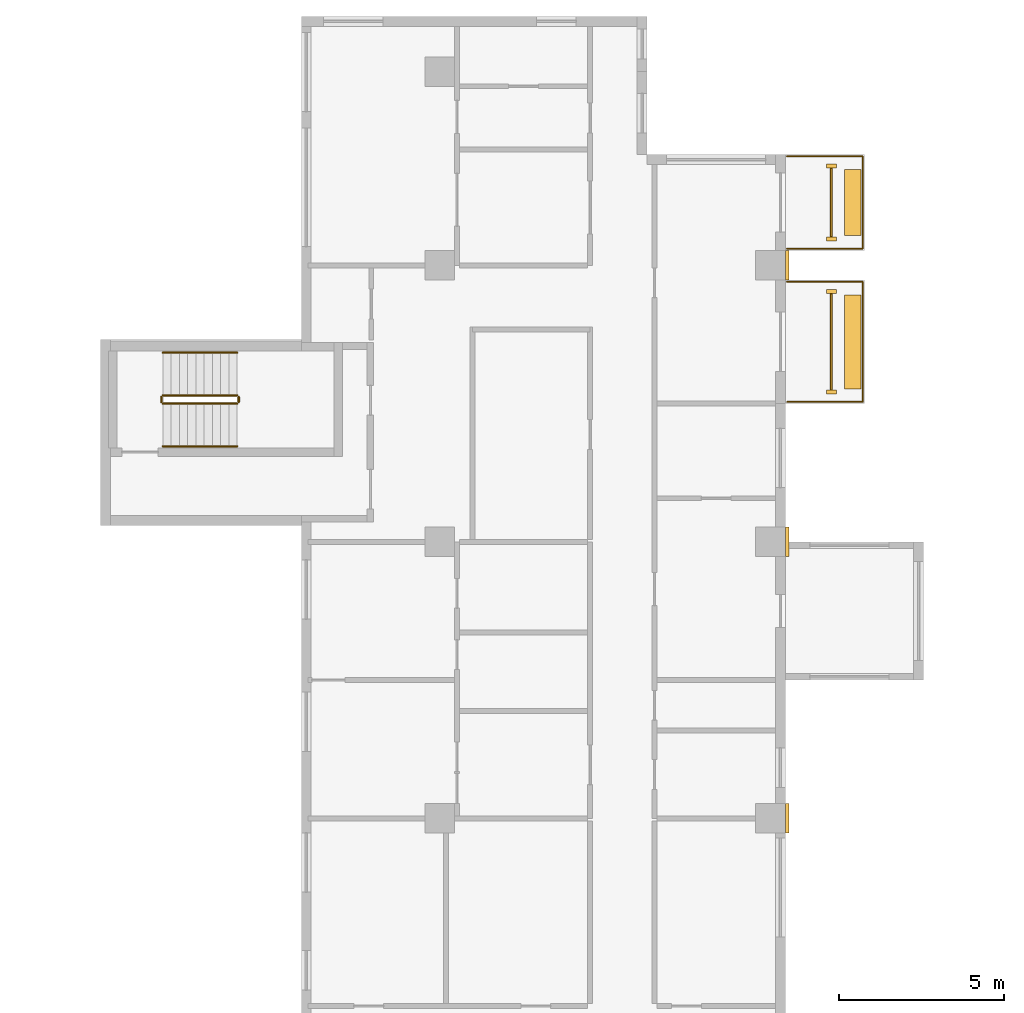
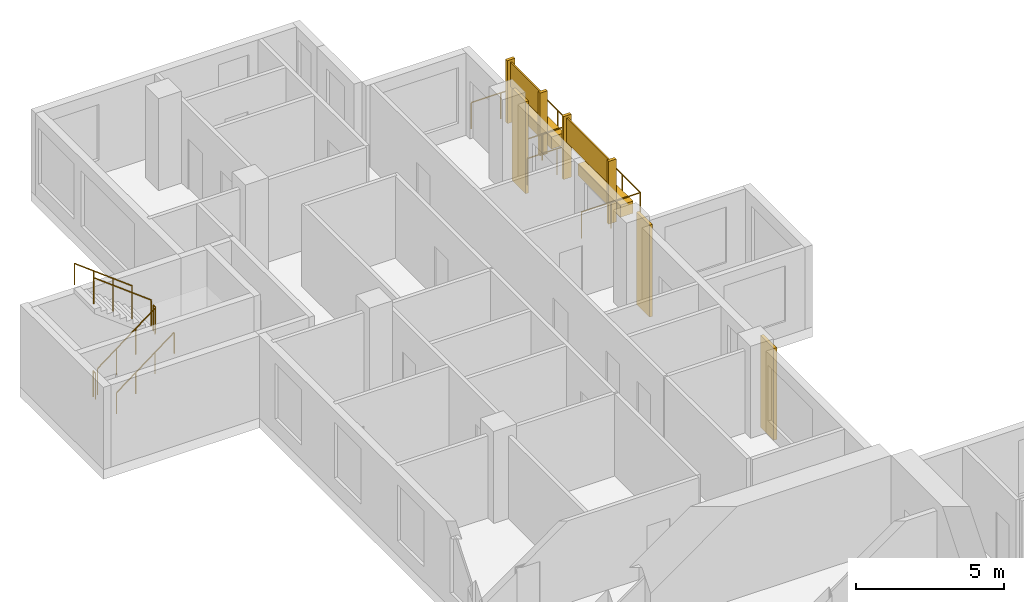
# One storey, part 14 of 15: 11 coverings, 8 railings.
"""IFC4 building model written with IfcOpenShell, lengths in metres."""

from ifc_helpers import new_model, si_unit, direction, frame, origin, origin_2d, place, context, subcontext, project, spatial, rectangle, circle, extrude, source, transform, mapped, material, type_object, element, save


model = new_model("IFC4")

# Units and contexts
model_context = context("Model", 3, precision=1e-05, world=origin(), true_north=direction((0.0, 1.0)))
body_context = subcontext(model_context, "Body", "Model", "MODEL_VIEW")
ifc_project = project(units=[si_unit("LENGTHUNIT", "METRE"), si_unit("AREAUNIT", "SQUARE_METRE"), si_unit("VOLUMEUNIT", "CUBIC_METRE"), si_unit("PLANEANGLEUNIT", "RADIAN"), si_unit("MASSUNIT", "GRAM", prefix="KILO")], contexts=[model_context])

# Site, building, storey
site_placement = place(None, origin())
site = spatial("IfcSite", under=ifc_project, at=site_placement, CompositionType="ELEMENT")
building_placement = place(site_placement, origin())
building = spatial("IfcBuilding", under=site, at=building_placement, Name="Aurelian Terraces", CompositionType="ELEMENT")
storey_placement = place(building_placement, frame((0.0, 0.0, 177.8)))
storey = spatial("IfcBuildingStorey", under=building, at=storey_placement, Name="L38", CompositionType="ELEMENT", Elevation=177.8)

# Railings
ifc_material_1 = material(Name="Anodised aluminium", Category="aluminium")
railing_type_1 = type_object("IfcRailingType", Name="GUARD-1100", PredefinedType="GUARDRAIL", material=ifc_material_1)
railing_1_placement = place(storey_placement, frame((21.05, 42.05, 0.0)))
element("IfcRailing", 1, at=railing_1_placement, inside=storey, type_object=railing_type_1, Name="Balcony guard L38 F08.21", PredefinedType="GUARDRAIL", context=body_context, shape_type="SweptSolid", body=[
    extrude(circle(Radius=0.024, at=origin_2d()), frame((0.0, 0.0, 1.076), z_axis=(1.0, 0.0, 0.0), x_axis=(0.0, 1.0, 0.0)), (0.0, 0.0, 1.0), 2.3),
    extrude(circle(Radius=0.024, at=origin_2d()), frame((2.3, 0.0, 1.076), z_axis=(0.0, 1.0, 0.0), x_axis=(-1.0, 0.0, 0.0)), (0.0, 0.0, 1.0), 3.65),
    extrude(circle(Radius=0.024, at=origin_2d()), frame((2.3, 3.65, 1.076), z_axis=(-1.0, 0.0, 0.0), x_axis=(0.0, -1.0, 0.0)), (0.0, 0.0, 1.0), 2.3),
    extrude(circle(Radius=0.021, at=origin_2d()), origin(), (0.0, 0.0, 1.0), 1.052),
    extrude(circle(Radius=0.021, at=origin_2d()), frame((1.15, 0.0, 0.0)), (0.0, 0.0, 1.0), 1.052),
    extrude(circle(Radius=0.021, at=origin_2d()), frame((2.3, 0.0, 0.0)), (0.0, 0.0, 1.0), 1.052),
    extrude(circle(Radius=0.021, at=origin_2d()), frame((2.3, 1.2167, 0.0)), (0.0, 0.0, 1.0), 1.052),
    extrude(circle(Radius=0.021, at=origin_2d()), frame((2.3, 2.4333, 0.0)), (0.0, 0.0, 1.0), 1.052),
    extrude(circle(Radius=0.021, at=origin_2d()), frame((2.3, 3.65, 0.0)), (0.0, 0.0, 1.0), 1.052),
    extrude(circle(Radius=0.021, at=origin_2d()), frame((1.15, 3.65, 0.0)), (0.0, 0.0, 1.0), 1.052),
    extrude(circle(Radius=0.021, at=origin_2d()), frame((0.0, 3.65, 0.0)), (0.0, 0.0, 1.0), 1.052),
])
railing_2_placement = place(storey_placement, frame((21.05, 46.7, 0.0)))
element("IfcRailing", 2, at=railing_2_placement, inside=storey, type_object=railing_type_1, Name="Balcony guard L38 F08.22", PredefinedType="GUARDRAIL", context=body_context, shape_type="SweptSolid", body=[
    extrude(circle(Radius=0.024, at=origin_2d()), frame((0.0, 0.0, 1.076), z_axis=(1.0, 0.0, 0.0), x_axis=(0.0, 1.0, 0.0)), (0.0, 0.0, 1.0), 2.3),
    extrude(circle(Radius=0.024, at=origin_2d()), frame((2.3, 0.0, 1.076), z_axis=(0.0, 1.0, 0.0), x_axis=(-1.0, 0.0, 0.0)), (0.0, 0.0, 1.0), 2.81),
    extrude(circle(Radius=0.024, at=origin_2d()), frame((2.3, 2.81, 1.076), z_axis=(-1.0, 0.0, 0.0), x_axis=(0.0, -1.0, 0.0)), (0.0, 0.0, 1.0), 2.3),
    extrude(circle(Radius=0.021, at=origin_2d()), origin(), (0.0, 0.0, 1.0), 1.052),
    extrude(circle(Radius=0.021, at=origin_2d()), frame((1.15, 0.0, 0.0)), (0.0, 0.0, 1.0), 1.052),
    extrude(circle(Radius=0.021, at=origin_2d()), frame((2.3, 0.0, 0.0)), (0.0, 0.0, 1.0), 1.052),
    extrude(circle(Radius=0.021, at=origin_2d()), frame((2.3, 0.9367, 0.0)), (0.0, 0.0, 1.0), 1.052),
    extrude(circle(Radius=0.021, at=origin_2d()), frame((2.3, 1.8733, 0.0)), (0.0, 0.0, 1.0), 1.052),
    extrude(circle(Radius=0.021, at=origin_2d()), frame((2.3, 2.81, 0.0)), (0.0, 0.0, 1.0), 1.052),
    extrude(circle(Radius=0.021, at=origin_2d()), frame((1.15, 2.81, 0.0)), (0.0, 0.0, 1.0), 1.052),
    extrude(circle(Radius=0.021, at=origin_2d()), frame((0.0, 2.81, 0.0)), (0.0, 0.0, 1.0), 1.052),
])

# Coverings
ifc_material_2 = material(Name="Terracotta planter with planting soil", Category="masonry")
covering_type_1 = type_object("IfcCoveringType", Name="PLANTER-TROUGH", PredefinedType="USERDEFINED", material=ifc_material_2)
covering_1_placement = place(storey_placement, frame((23.05, 43.875, 0.0), z_axis=(0.0, 0.0, 1.0), x_axis=(1.0, 0.0, 0.0)))
element("IfcCovering", 3, at=covering_1_placement, inside=storey, type_object=covering_type_1, Name="PLANTER L38 L38-F08-21", ObjectType="PLANTER", PredefinedType="USERDEFINED", context=body_context, shape_type="SweptSolid", body=[
    extrude(rectangle(XDim=0.5, YDim=2.85, at=origin_2d()), origin(), (0.0, 0.0, 1.0), 0.5),
])
covering_2_placement = place(storey_placement, frame((23.05, 48.105, 0.0), z_axis=(0.0, 0.0, 1.0), x_axis=(1.0, 0.0, 0.0)))
element("IfcCovering", 4, at=covering_2_placement, inside=storey, type_object=covering_type_1, Name="PLANTER L38 L38-F08-22", ObjectType="PLANTER", PredefinedType="USERDEFINED", context=body_context, shape_type="SweptSolid", body=[
    extrude(rectangle(XDim=0.5, YDim=2.01, at=origin_2d()), origin(), (0.0, 0.0, 1.0), 0.5),
])
ifc_material_3 = material(Name="Terracotta rainscreen cladding", Category="masonry")
covering_type_2 = type_object("IfcCoveringType", Name="SCREEN-TC", PredefinedType="CLADDING", material=ifc_material_3)
covering_3_placement = place(storey_placement, frame((22.4, 43.875, 1.5), z_axis=(0.0, 0.0, 1.0), x_axis=(1.0, 0.0, 0.0)))
element("IfcCovering", 5, at=covering_3_placement, inside=storey, type_object=covering_type_2, Name="SCREEN L38 L38-F08-21", PredefinedType="CLADDING", context=body_context, shape_type="SweptSolid", body=[
    extrude(rectangle(XDim=0.06, YDim=2.93, at=origin_2d()), origin(), (0.0, 0.0, 1.0), 1.0),
])
covering_4_placement = place(storey_placement, frame((22.4, 48.105, 1.5), z_axis=(0.0, 0.0, 1.0), x_axis=(1.0, 0.0, 0.0)))
element("IfcCovering", 6, at=covering_4_placement, inside=storey, type_object=covering_type_2, Name="SCREEN L38 L38-F08-22", PredefinedType="CLADDING", context=body_context, shape_type="SweptSolid", body=[
    extrude(rectangle(XDim=0.06, YDim=2.09, at=origin_2d()), origin(), (0.0, 0.0, 1.0), 1.0),
])

# Railings
ifc_material_4 = material(Name="Stainless steel", Category="steel")
railing_type_2 = type_object("IfcRailingType", Name="Stair guard 1100", PredefinedType="GUARDRAIL", material=ifc_material_4)
railing_3_placement = place(storey_placement, frame((2.1, 42.0, 0.19)))
element("IfcRailing", 7, at=railing_3_placement, inside=storey, type_object=railing_type_2, Name="L38 S3 stair guard 1", PredefinedType="GUARDRAIL", context=body_context, shape_type="SweptSolid", body=[
    extrude(circle(Radius=0.024, at=origin_2d()), frame((0.0, 0.0, 1.076), z_axis=(0.796162194123, 0.0, 0.605083267534), x_axis=(0.0, 1.0, 0.0)), (0.0, 0.0, 1.0), 2.8261),
    extrude(circle(Radius=0.021, at=origin_2d()), origin(), (0.0, 0.0, 1.0), 1.052),
    extrude(circle(Radius=0.021, at=origin_2d()), frame((0.75, 0.0, 0.57)), (0.0, 0.0, 1.0), 1.052),
    extrude(circle(Radius=0.021, at=origin_2d()), frame((1.5, 0.0, 1.14)), (0.0, 0.0, 1.0), 1.052),
    extrude(circle(Radius=0.021, at=origin_2d()), frame((2.25, 0.0, 1.71)), (0.0, 0.0, 1.0), 1.052),
])
railing_4_placement = place(storey_placement, frame((4.35, 42.25, 2.09)))
element("IfcRailing", 8, at=railing_4_placement, inside=storey, type_object=railing_type_2, Name="L38 S3 stair guard 3", PredefinedType="GUARDRAIL", context=body_context, shape_type="SweptSolid", body=[
    extrude(circle(Radius=0.024, at=origin_2d()), frame((0.0, 0.0, 1.076), z_axis=(-0.796162194123, 0.0, 0.605083267534), x_axis=(0.0, -1.0, 0.0)), (0.0, 0.0, 1.0), 2.8261),
    extrude(circle(Radius=0.021, at=origin_2d()), origin(), (0.0, 0.0, 1.0), 1.052),
    extrude(circle(Radius=0.021, at=origin_2d()), frame((-0.75, 0.0, 0.57)), (0.0, 0.0, 1.0), 1.052),
    extrude(circle(Radius=0.021, at=origin_2d()), frame((-1.5, 0.0, 1.14)), (0.0, 0.0, 1.0), 1.052),
    extrude(circle(Radius=0.021, at=origin_2d()), frame((-2.25, 0.0, 1.71)), (0.0, 0.0, 1.0), 1.052),
])
railing_type_3 = type_object("IfcRailingType", Name="Stair handrail", PredefinedType="HANDRAIL", material=ifc_material_4)
railing_5_placement = place(storey_placement, frame((2.1, 40.7, 0.19)))
element("IfcRailing", 9, at=railing_5_placement, inside=storey, type_object=railing_type_3, Name="L38 S3 stair handrail 1", PredefinedType="HANDRAIL", context=body_context, shape_type="SweptSolid", body=[
    extrude(circle(Radius=0.024, at=origin_2d()), frame((0.0, 0.0, 0.876), z_axis=(0.796162194123, 0.0, 0.605083267534), x_axis=(0.0, 1.0, 0.0)), (0.0, 0.0, 1.0), 2.8261),
    extrude(circle(Radius=0.021, at=origin_2d()), origin(), (0.0, 0.0, 1.0), 0.852),
    extrude(circle(Radius=0.021, at=origin_2d()), frame((0.75, 0.0, 0.57)), (0.0, 0.0, 1.0), 0.852),
    extrude(circle(Radius=0.021, at=origin_2d()), frame((1.5, 0.0, 1.14)), (0.0, 0.0, 1.0), 0.852),
    extrude(circle(Radius=0.021, at=origin_2d()), frame((2.25, 0.0, 1.71)), (0.0, 0.0, 1.0), 0.852),
])
railing_6_placement = place(storey_placement, frame((4.35, 43.55, 2.09)))
element("IfcRailing", 10, at=railing_6_placement, inside=storey, type_object=railing_type_3, Name="L38 S3 stair handrail 2", PredefinedType="HANDRAIL", context=body_context, shape_type="SweptSolid", body=[
    extrude(circle(Radius=0.024, at=origin_2d()), frame((0.0, 0.0, 0.876), z_axis=(-0.796162194123, 0.0, 0.605083267534), x_axis=(0.0, -1.0, 0.0)), (0.0, 0.0, 1.0), 2.8261),
    extrude(circle(Radius=0.021, at=origin_2d()), origin(), (0.0, 0.0, 1.0), 0.852),
    extrude(circle(Radius=0.021, at=origin_2d()), frame((-0.75, 0.0, 0.57)), (0.0, 0.0, 1.0), 0.852),
    extrude(circle(Radius=0.021, at=origin_2d()), frame((-1.5, 0.0, 1.14)), (0.0, 0.0, 1.0), 0.852),
    extrude(circle(Radius=0.021, at=origin_2d()), frame((-2.25, 0.0, 1.71)), (0.0, 0.0, 1.0), 0.852),
])

# Coverings
ifc_material_5 = material(Name="Terracotta rainscreen cladding relief", Category="masonry")
covering_type_3 = type_object("IfcCoveringType", Name="FIN-TC", PredefinedType="CLADDING", material=ifc_material_5)
shared_shape_1 = source(origin(), body_context, "Body", "SweptSolid", [
    extrude(rectangle(XDim=0.3, YDim=0.12, at=origin_2d()), origin(), (0.0, 0.0, 1.0), 2.6),
])
for number, where, z_axis, x_axis, name in (
    (11, (22.4, 42.35, 0.0), (0.0, 0.0, 1.0), (1.0, 0.0, 0.0), "FIN L38 L38-F08-21.1"),
    (12, (22.4, 45.4, 0.0), (0.0, 0.0, 1.0), (1.0, 0.0, 0.0), "FIN L38 L38-F08-21.2"),
    (13, (22.4, 47.0, 0.0), (0.0, 0.0, 1.0), (1.0, 0.0, 0.0), "FIN L38 L38-F08-22.1"),
    (14, (22.4, 49.21, 0.0), (0.0, 0.0, 1.0), (1.0, 0.0, 0.0), "FIN L38 L38-F08-22.2"),
):
    element("IfcCovering", number, at=place(storey_placement, frame(where, z_axis=z_axis, x_axis=x_axis)), inside=storey, type_object=covering_type_3, Name=name, PredefinedType="CLADDING", context=body_context, shape_type="MappedRepresentation", body=[
        mapped(shared_shape_1, transform((0.0, 0.0, 0.0), scale=1.0)),
    ])
covering_type_4 = type_object("IfcCoveringType", Name="BAGUETTE-TC", PredefinedType="CLADDING", material=ifc_material_5)
shared_shape_2 = source(origin(), body_context, "Body", "SweptSolid", [
    extrude(rectangle(XDim=0.12, YDim=0.9, at=origin_2d()), origin(), (0.0, 0.0, 1.0), 3.8),
])
for number, where, z_axis, x_axis, name in (
    (15, (21.06, 29.4, -0.4), (0.0, 0.0, 1.0), (1.0, 0.0, 0.0), "BAGUETTE pier L38 7"),
    (16, (21.06, 37.8, -0.4), (0.0, 0.0, 1.0), (1.0, 0.0, 0.0), "BAGUETTE pier L38 8"),
    (17, (21.06, 46.2, -0.4), (0.0, 0.0, 1.0), (1.0, 0.0, 0.0), "BAGUETTE pier L38 9"),
):
    element("IfcCovering", number, at=place(storey_placement, frame(where, z_axis=z_axis, x_axis=x_axis)), inside=storey, type_object=covering_type_4, Name=name, PredefinedType="CLADDING", context=body_context, shape_type="MappedRepresentation", body=[
        mapped(shared_shape_2, transform((0.0, 0.0, 0.0), scale=1.0)),
    ])

# Railings
shared_shape_3 = source(origin(), body_context, "Body", "SweptSolid", [
    extrude(circle(Radius=0.024, at=origin_2d()), frame((0.0, 0.0, 1.076), z_axis=(0.0, 1.0, 0.0), x_axis=(-1.0, 0.0, 0.0)), (0.0, 0.0, 1.0), 0.15),
    extrude(circle(Radius=0.021, at=origin_2d()), origin(), (0.0, 0.0, 1.0), 1.052),
    extrude(circle(Radius=0.021, at=origin_2d()), frame((0.0, 0.15, 0.0)), (0.0, 0.0, 1.0), 1.052),
])
for number, where, name in (
    (18, (4.4, 42.05, 1.9), "L38 S3 stair guard 2"),
    (19, (2.05, 42.05, 0.0), "L38 S3 stair guard 4"),
):
    element("IfcRailing", number, at=place(storey_placement, frame(where)), inside=storey, type_object=railing_type_2, Name=name, PredefinedType="GUARDRAIL", context=body_context, shape_type="MappedRepresentation", body=[
        mapped(shared_shape_3, transform((0.0, 0.0, 0.0), scale=1.0)),
    ])

save(model, "model.ifc")
